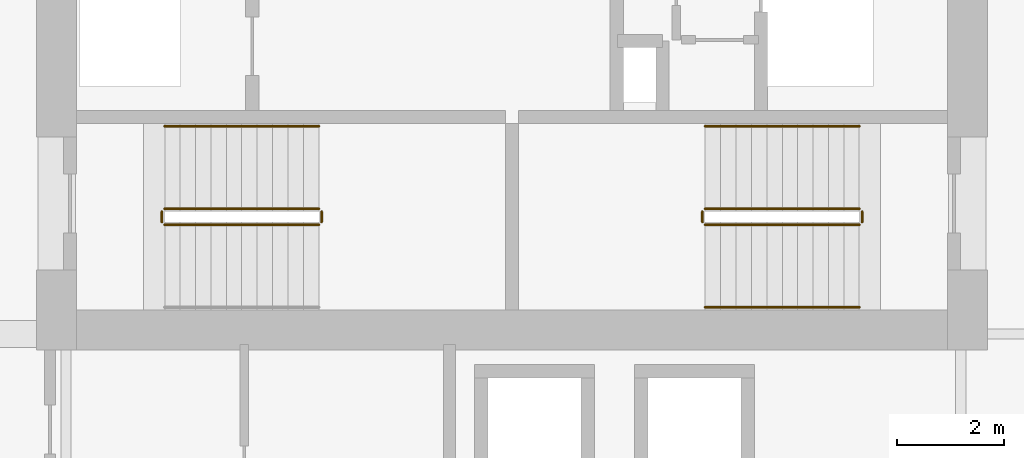
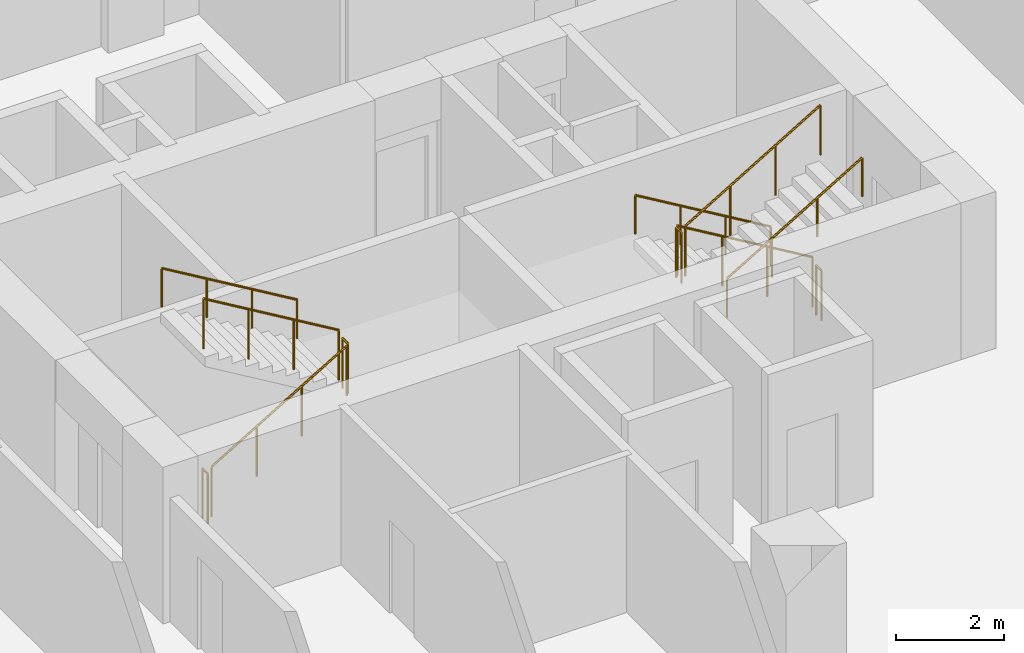
# One storey, part 15 of 17: 11 railings.
"""IFC4 building model written with IfcOpenShell, lengths in metres."""

from ifc_helpers import new_model, si_unit, direction, frame, origin, origin_2d, place, context, subcontext, project, spatial, circle, extrude, material, type_object, element, save


model = new_model("IFC4")

# Units and contexts
model_context = context("Model", 3, precision=1e-05, world=origin(), true_north=direction((0.0, 1.0)))
body_context = subcontext(model_context, "Body", "Model", "MODEL_VIEW")
ifc_project = project(units=[si_unit("LENGTHUNIT", "METRE"), si_unit("AREAUNIT", "SQUARE_METRE"), si_unit("VOLUMEUNIT", "CUBIC_METRE"), si_unit("PLANEANGLEUNIT", "RADIAN"), si_unit("MASSUNIT", "GRAM", prefix="KILO")], contexts=[model_context])

# Site, building, storey
site_placement = place(None, origin())
site = spatial("IfcSite", under=ifc_project, at=site_placement, CompositionType="ELEMENT")
building_placement = place(site_placement, origin())
building = spatial("IfcBuilding", under=site, at=building_placement, Name="Koriwani Terraces Tower", CompositionType="ELEMENT")
storey_placement = place(building_placement, frame((0.0, 0.0, 130.39990234375)))
storey = spatial("IfcBuildingStorey", under=building, at=storey_placement, Name="L31", CompositionType="ELEMENT", Elevation=130.39990234375)

# Railings
ifc_material = material(Name="Steel ASTM A572 Grade 50", Category="steel")
railing_type_1 = type_object("IfcRailingType", Name="GUARD_STAIR_WELL_1120", PredefinedType="GUARDRAIL", material=ifc_material)
railing_1_placement = place(storey_placement, frame((43.85009765625, 18.85009765625, 0.1728515625)))
element("IfcRailing", 1, at=railing_1_placement, inside=storey, type_object=railing_type_1, Name="L31 ST-E1 stair guard 1", PredefinedType="GUARDRAIL", context=body_context, shape_type="SweptSolid", body=[
    extrude(circle(Radius=0.02392578125, at=origin_2d()), frame((0.0, 0.0, 1.1259765625), z_axis=(0.859141464434, 0.0, 0.511738159696), x_axis=(0.0, 1.0, 0.0)), (0.0, 0.0, 1.0), 3.375244140625),
    extrude(circle(Radius=0.02099609375, at=origin_2d()), origin(), (0.0, 0.0, 1.0), 1.101806640625),
    extrude(circle(Radius=0.02099609375, at=origin_2d()), frame((0.966552734375, 0.0, 0.57568359375)), (0.0, 0.0, 1.0), 1.101806640625),
    extrude(circle(Radius=0.02099609375, at=origin_2d()), frame((1.933349609375, 0.0, 1.151611328125)), (0.0, 0.0, 1.0), 1.101806640625),
    extrude(circle(Radius=0.02099609375, at=origin_2d()), frame((2.89990234375, 0.0, 1.727294921875)), (0.0, 0.0, 1.0), 1.101806640625),
])
railing_2_placement = place(storey_placement, frame((46.800048828125, 18.89990234375, 1.900146484375)))
element("IfcRailing", 2, at=railing_2_placement, inside=storey, type_object=railing_type_1, Name="L31 ST-E1 stair guard 2", PredefinedType="GUARDRAIL", context=body_context, shape_type="SweptSolid", body=[
    extrude(circle(Radius=0.02392578125, at=origin_2d()), frame((0.0, 0.0, 1.1259765625), z_axis=(0.0, 1.0, 0.0), x_axis=(-1.0, 0.0, 0.0)), (0.0, 0.0, 1.0), 0.2001953125),
    extrude(circle(Radius=0.02099609375, at=origin_2d()), origin(), (0.0, 0.0, 1.0), 1.101806640625),
    extrude(circle(Radius=0.02099609375, at=origin_2d()), frame((0.0, 0.2001953125, 0.0)), (0.0, 0.0, 1.0), 1.101806640625),
])
railing_3_placement = place(storey_placement, frame((46.75, 19.14990234375, 2.07275390625)))
element("IfcRailing", 3, at=railing_3_placement, inside=storey, type_object=railing_type_1, Name="L31 ST-E1 stair guard 3", PredefinedType="GUARDRAIL", context=body_context, shape_type="SweptSolid", body=[
    extrude(circle(Radius=0.02392578125, at=origin_2d()), frame((0.0, 0.0, 1.1259765625), z_axis=(-0.859141464434, 0.0, 0.511738159696), x_axis=(0.0, -1.0, 0.0)), (0.0, 0.0, 1.0), 3.375244140625),
    extrude(circle(Radius=0.02099609375, at=origin_2d()), origin(), (0.0, 0.0, 1.0), 1.101806640625),
    extrude(circle(Radius=0.02099609375, at=origin_2d()), frame((-0.966552734375, 0.0, 0.57568359375)), (0.0, 0.0, 1.0), 1.101806640625),
    extrude(circle(Radius=0.02099609375, at=origin_2d()), frame((-1.933349609375, 0.0, 1.151611328125)), (0.0, 0.0, 1.0), 1.101806640625),
    extrude(circle(Radius=0.02099609375, at=origin_2d()), frame((-2.89990234375, 0.0, 1.727294921875)), (0.0, 0.0, 1.0), 1.101806640625),
])
railing_4_placement = place(storey_placement, frame((43.800048828125, 18.89990234375, 0.0)))
element("IfcRailing", 4, at=railing_4_placement, inside=storey, type_object=railing_type_1, Name="L31 ST-E1 stair guard 4", PredefinedType="GUARDRAIL", context=body_context, shape_type="SweptSolid", body=[
    extrude(circle(Radius=0.02392578125, at=origin_2d()), frame((0.0, 0.0, 1.1259765625), z_axis=(0.0, 1.0, 0.0), x_axis=(-1.0, 0.0, 0.0)), (0.0, 0.0, 1.0), 0.2001953125),
    extrude(circle(Radius=0.02099609375, at=origin_2d()), origin(), (0.0, 0.0, 1.0), 1.101806640625),
    extrude(circle(Radius=0.02099609375, at=origin_2d()), frame((0.0, 0.2001953125, 0.0)), (0.0, 0.0, 1.0), 1.101806640625),
])
railing_5_placement = place(storey_placement, frame((56.89990234375, 19.14990234375, 0.1728515625)))
element("IfcRailing", 5, at=railing_5_placement, inside=storey, type_object=railing_type_1, Name="L31 ST-E2 stair guard 1", PredefinedType="GUARDRAIL", context=body_context, shape_type="SweptSolid", body=[
    extrude(circle(Radius=0.02392578125, at=origin_2d()), frame((0.0, 0.0, 1.1259765625), z_axis=(-0.859141464434, 0.0, 0.511738159696), x_axis=(0.0, -1.0, 0.0)), (0.0, 0.0, 1.0), 3.375244140625),
    extrude(circle(Radius=0.02099609375, at=origin_2d()), origin(), (0.0, 0.0, 1.0), 1.101806640625),
    extrude(circle(Radius=0.02099609375, at=origin_2d()), frame((-0.966552734375, 0.0, 0.57568359375)), (0.0, 0.0, 1.0), 1.101806640625),
    extrude(circle(Radius=0.02099609375, at=origin_2d()), frame((-1.933349609375, 0.0, 1.151611328125)), (0.0, 0.0, 1.0), 1.101806640625),
    extrude(circle(Radius=0.02099609375, at=origin_2d()), frame((-2.89990234375, 0.0, 1.727294921875)), (0.0, 0.0, 1.0), 1.101806640625),
])
railing_6_placement = place(storey_placement, frame((53.949951171875, 19.10009765625, 1.900146484375)))
element("IfcRailing", 6, at=railing_6_placement, inside=storey, type_object=railing_type_1, Name="L31 ST-E2 stair guard 2", PredefinedType="GUARDRAIL", context=body_context, shape_type="SweptSolid", body=[
    extrude(circle(Radius=0.02392578125, at=origin_2d()), frame((0.0, 0.0, 1.1259765625), z_axis=(0.0, -1.0, 0.0), x_axis=(1.0, 0.0, 0.0)), (0.0, 0.0, 1.0), 0.2001953125),
    extrude(circle(Radius=0.02099609375, at=origin_2d()), origin(), (0.0, 0.0, 1.0), 1.101806640625),
    extrude(circle(Radius=0.02099609375, at=origin_2d()), frame((0.0, -0.2001953125, 0.0)), (0.0, 0.0, 1.0), 1.101806640625),
])
railing_7_placement = place(storey_placement, frame((54.0, 18.85009765625, 2.07275390625)))
element("IfcRailing", 7, at=railing_7_placement, inside=storey, type_object=railing_type_1, Name="L31 ST-E2 stair guard 3", PredefinedType="GUARDRAIL", context=body_context, shape_type="SweptSolid", body=[
    extrude(circle(Radius=0.02392578125, at=origin_2d()), frame((0.0, 0.0, 1.1259765625), z_axis=(0.859141464434, 0.0, 0.511738159696), x_axis=(0.0, 1.0, 0.0)), (0.0, 0.0, 1.0), 3.375244140625),
    extrude(circle(Radius=0.02099609375, at=origin_2d()), origin(), (0.0, 0.0, 1.0), 1.101806640625),
    extrude(circle(Radius=0.02099609375, at=origin_2d()), frame((0.966552734375, 0.0, 0.57568359375)), (0.0, 0.0, 1.0), 1.101806640625),
    extrude(circle(Radius=0.02099609375, at=origin_2d()), frame((1.933349609375, 0.0, 1.151611328125)), (0.0, 0.0, 1.0), 1.101806640625),
    extrude(circle(Radius=0.02099609375, at=origin_2d()), frame((2.89990234375, 0.0, 1.727294921875)), (0.0, 0.0, 1.0), 1.101806640625),
])
railing_8_placement = place(storey_placement, frame((56.949951171875, 19.10009765625, 0.0)))
element("IfcRailing", 8, at=railing_8_placement, inside=storey, type_object=railing_type_1, Name="L31 ST-E2 stair guard 4", PredefinedType="GUARDRAIL", context=body_context, shape_type="SweptSolid", body=[
    extrude(circle(Radius=0.02392578125, at=origin_2d()), frame((0.0, 0.0, 1.1259765625), z_axis=(0.0, -1.0, 0.0), x_axis=(1.0, 0.0, 0.0)), (0.0, 0.0, 1.0), 0.2001953125),
    extrude(circle(Radius=0.02099609375, at=origin_2d()), origin(), (0.0, 0.0, 1.0), 1.101806640625),
    extrude(circle(Radius=0.02099609375, at=origin_2d()), frame((0.0, -0.2001953125, 0.0)), (0.0, 0.0, 1.0), 1.101806640625),
])
railing_type_2 = type_object("IfcRailingType", Name="HANDRAIL_STAIR_920", PredefinedType="HANDRAIL", material=ifc_material)
for number, where, name in (
    (9, (46.75, 20.699951171875, 2.07275390625), "L31 ST-E1 stair handrail 2"),
    (10, (56.89990234375, 20.699951171875, 0.1728515625), "L31 ST-E2 stair handrail 1"),
):
    element("IfcRailing", number, at=place(storey_placement, frame(where)), inside=storey, type_object=railing_type_2, Name=name, PredefinedType="HANDRAIL", context=body_context, shape_type="SweptSolid", body=[
        extrude(circle(Radius=0.02392578125, at=origin_2d()), frame((0.0, 0.0, 0.8759765625), z_axis=(-0.859141464434, 0.0, 0.511738159696), x_axis=(0.0, -1.0, 0.0)), (0.0, 0.0, 1.0), 3.375244140625),
        extrude(circle(Radius=0.02099609375, at=origin_2d()), origin(), (0.0, 0.0, 1.0), 0.851806640625),
        extrude(circle(Radius=0.02099609375, at=origin_2d()), frame((-0.966552734375, 0.0, 0.57568359375)), (0.0, 0.0, 1.0), 0.851806640625),
        extrude(circle(Radius=0.02099609375, at=origin_2d()), frame((-1.933349609375, 0.0, 1.151611328125)), (0.0, 0.0, 1.0), 0.851806640625),
        extrude(circle(Radius=0.02099609375, at=origin_2d()), frame((-2.89990234375, 0.0, 1.727294921875)), (0.0, 0.0, 1.0), 0.851806640625),
    ])
railing_9_placement = place(storey_placement, frame((54.0, 17.300048828125, 2.07275390625)))
element("IfcRailing", 11, at=railing_9_placement, inside=storey, type_object=railing_type_2, Name="L31 ST-E2 stair handrail 2", PredefinedType="HANDRAIL", context=body_context, shape_type="SweptSolid", body=[
    extrude(circle(Radius=0.02392578125, at=origin_2d()), frame((0.0, 0.0, 0.8759765625), z_axis=(0.859141464434, 0.0, 0.511738159696), x_axis=(0.0, 1.0, 0.0)), (0.0, 0.0, 1.0), 3.375244140625),
    extrude(circle(Radius=0.02099609375, at=origin_2d()), origin(), (0.0, 0.0, 1.0), 0.851806640625),
    extrude(circle(Radius=0.02099609375, at=origin_2d()), frame((0.966552734375, 0.0, 0.57568359375)), (0.0, 0.0, 1.0), 0.851806640625),
    extrude(circle(Radius=0.02099609375, at=origin_2d()), frame((1.933349609375, 0.0, 1.151611328125)), (0.0, 0.0, 1.0), 0.851806640625),
    extrude(circle(Radius=0.02099609375, at=origin_2d()), frame((2.89990234375, 0.0, 1.727294921875)), (0.0, 0.0, 1.0), 0.851806640625),
])

save(model, "model.ifc")
